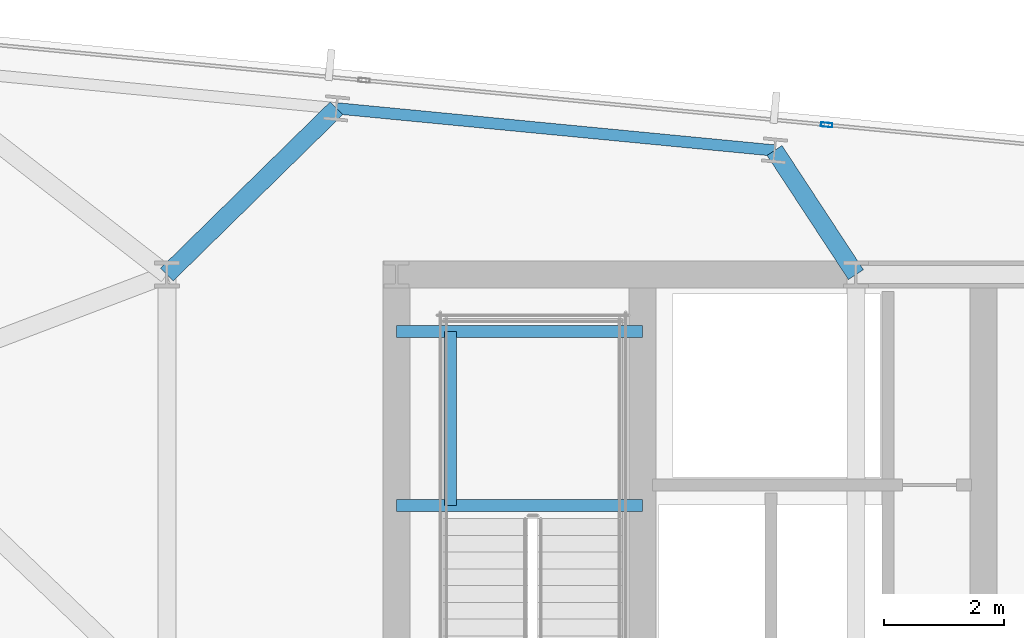
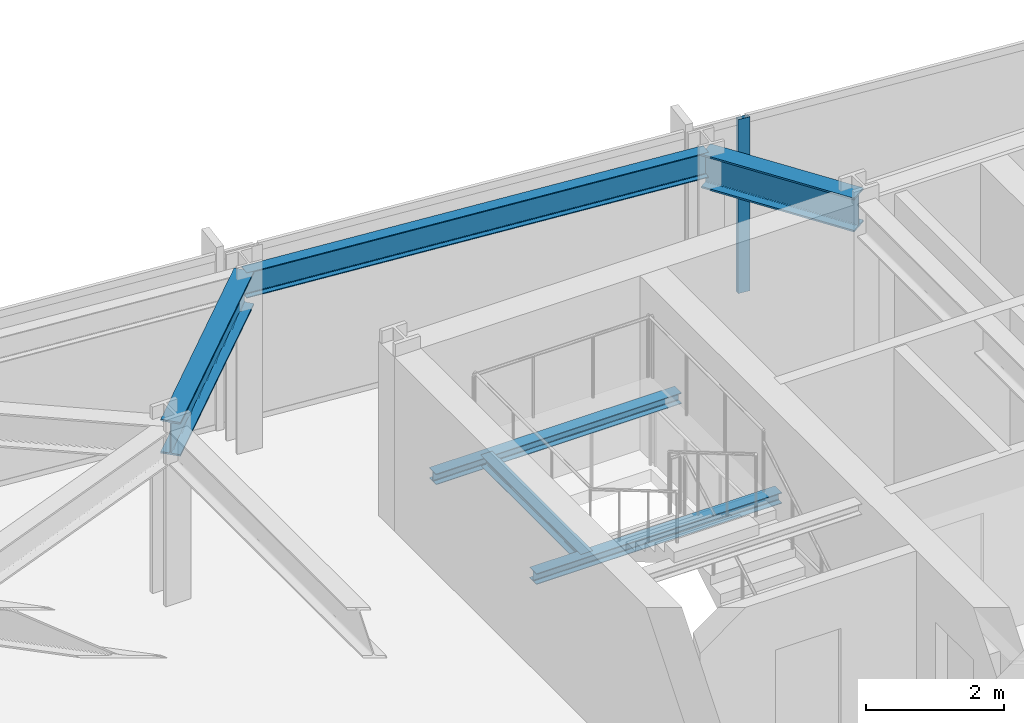
# One storey, part 24 of 38: 6 beams, 1 member, 1 element without a shape of its own.
"""IFC4 building model written with IfcOpenShell, lengths in metres."""

from ifc_helpers import new_model, si_unit, direction, frame, origin, origin_2d, place, context, subcontext, project, spatial, hollow_rectangle, i_section, extrude, material, material_profile, profile_set, type_object, element, aggregate, save


model = new_model("IFC4")

# Units and contexts
model_context = context("Model", 3, precision=1e-05, world=origin(), true_north=direction((0.0, 1.0)))
body_context = subcontext(model_context, "Body", "Model", "MODEL_VIEW")
ifc_project = project(units=[si_unit("LENGTHUNIT", "METRE"), si_unit("AREAUNIT", "SQUARE_METRE"), si_unit("VOLUMEUNIT", "CUBIC_METRE"), si_unit("PLANEANGLEUNIT", "RADIAN"), si_unit("MASSUNIT", "GRAM", prefix="KILO")], contexts=[model_context])

# Site, building, storey
site_placement = place(None, origin())
site = spatial("IfcSite", under=ifc_project, at=site_placement, CompositionType="ELEMENT")
building_placement = place(site_placement, origin())
building = spatial("IfcBuilding", under=site, at=building_placement, Name="Yelkora Congress Tower", CompositionType="ELEMENT")
storey_placement = place(building_placement, frame((0.0, 0.0, 155.60009765625)))
storey = spatial("IfcBuildingStorey", under=building, at=storey_placement, Name="L42", CompositionType="ELEMENT", Elevation=155.60009765625)

# Beams
ifc_material_1 = material(Name="Steel S355J2", Category="steel")
ifc_material_profile_1 = material_profile(ifc_material_1, i_section(OverallWidth=0.300048828125, OverallDepth=0.60009765625, WebThickness=0.015380859375, FlangeThickness=0.030029296875, FilletRadius=0.027099609375, at=origin_2d()), Name="HEB 600")
ifc_profile_set_1 = profile_set([ifc_material_profile_1], Name="Steel S355J2")
beam_type_1 = type_object("IfcBeamType", Name="BM-GIRD-HEB600", PredefinedType="BEAM", material=ifc_profile_set_1)
beam_1_placement = place(storey_placement, frame((22.035400390625, 48.980224609375, 2.77978515625), z_axis=(-0.714019806588, -0.700125500036, 0.0), x_axis=(0.700125500036, -0.714019806588, 0.0)))
element("IfcBeam", 1, at=beam_1_placement, inside=storey, type_object=beam_type_1, Name="L42 Primary Frame Girder N03", PredefinedType="BEAM", context=body_context, shape_type="SweptSolid", body=[
    extrude(i_section(OverallWidth=0.300048828125, OverallDepth=0.60009765625, WebThickness=0.015380859375, FlangeThickness=0.030029296875, FilletRadius=0.027099609375, at=origin_2d()), origin(), (0.0, 0.0, 1.0), 3.97119140625),
])
beam_2_placement = place(storey_placement, frame((29.358642578125, 48.275146484375, 2.77978515625), z_axis=(0.548510321976, -0.8361437835, 0.0), x_axis=(0.8361437835, 0.548510321976, 0.0)))
element("IfcBeam", 2, at=beam_2_placement, inside=storey, type_object=beam_type_1, Name="L42 Primary Frame Girder N04", PredefinedType="BEAM", context=body_context, shape_type="SweptSolid", body=[
    extrude(i_section(OverallWidth=0.300048828125, OverallDepth=0.60009765625, WebThickness=0.015380859375, FlangeThickness=0.030029296875, FilletRadius=0.027099609375, at=origin_2d()), origin(), (0.0, 0.0, 1.0), 2.48193359375),
])
ifc_material_profile_2 = material_profile(ifc_material_1, i_section(OverallWidth=0.199951171875, OverallDepth=0.18994140625, WebThickness=0.006591796875, FlangeThickness=0.010009765625, FilletRadius=0.01806640625, at=origin_2d()), Name="HEA 200")
ifc_profile_set_2 = profile_set([ifc_material_profile_2], Name="Steel S355J2")
beam_type_2 = type_object("IfcBeamType", Name="BM-LAND-HEA200", PredefinedType="BEAM", material=ifc_profile_set_2)
for number, where, z_axis, x_axis, name in (
    (3, (23.0400390625, 42.340087890625, 1.33447265625), (1.0, 0.0, 0.0), (0.0, 1.0, 0.0), "ST-01 L42 Landing Header Beam 1S"),
    (4, (23.0400390625, 45.25, 1.33447265625), (1.0, 0.0, 0.0), (0.0, 1.0, 0.0), "ST-01 L42 Landing Header Beam 1N"),
):
    element("IfcBeam", number, at=place(storey_placement, frame(where, z_axis=z_axis, x_axis=x_axis)), inside=storey, type_object=beam_type_2, Name=name, PredefinedType="BEAM", context=body_context, shape_type="SweptSolid", body=[
        extrude(i_section(OverallWidth=0.199951171875, OverallDepth=0.18994140625, WebThickness=0.006591796875, FlangeThickness=0.010009765625, FilletRadius=0.01806640625, at=origin_2d()), origin(), (0.0, 0.0, 1.0), 4.10986328125),
    ])
beam_3_placement = place(storey_placement, frame((23.93994140625, 42.340087890625, 1.33447265625), z_axis=(0.0, 1.0, 0.0), x_axis=(-1.0, 0.0, 0.0)))
element("IfcBeam", 5, at=beam_3_placement, inside=storey, type_object=beam_type_2, Name="ST-01 L42 Landing Trimmer Beam 1M", PredefinedType="BEAM", context=body_context, shape_type="SweptSolid", body=[
    extrude(i_section(OverallWidth=0.199951171875, OverallDepth=0.18994140625, WebThickness=0.006591796875, FlangeThickness=0.010009765625, FilletRadius=0.01806640625, at=origin_2d()), origin(), (0.0, 0.0, 1.0), 2.909912109375),
])
ifc_material_profile_3 = material_profile(ifc_material_1, i_section(OverallWidth=0.18994140625, OverallDepth=0.449951171875, WebThickness=0.009521484375, FlangeThickness=0.0146484375, FilletRadius=0.02099609375, at=origin_2d()), Name="IPE 450")
ifc_profile_set_3 = profile_set([ifc_material_profile_3], Name="Steel S355J2")
beam_type_3 = type_object("IfcBeamType", Name="BM-SPAN-IPE450", PredefinedType="SPANDREL", material=ifc_profile_set_3)
beam_4_placement = place(storey_placement, frame((29.358642578125, 48.275146484375, 2.85498046875), z_axis=(-0.995397104697, 0.095836339457, 0.0), x_axis=(-0.095836339457, -0.995397104697, 0.0)))
element("IfcBeam", 6, at=beam_4_placement, inside=storey, type_object=beam_type_3, Name="L42 Perimeter Beam 13", PredefinedType="SPANDREL", context=body_context, shape_type="SweptSolid", body=[
    extrude(i_section(OverallWidth=0.18994140625, OverallDepth=0.449951171875, WebThickness=0.009521484375, FlangeThickness=0.0146484375, FilletRadius=0.02099609375, at=origin_2d()), origin(), (0.0, 0.0, 1.0), 7.357177734375),
])

# Curtain wall, member
ifc_material_2 = material(Name="Anodised aluminium and insulated glass", Category="aluminium")
curtain_wall_type = type_object("IfcCurtainWallType", Name="CW-SYS-B3", PredefinedType="NOTDEFINED", material=ifc_material_2)
curtain_wall_placement = place(storey_placement, origin())
curtain_wall = element("IfcCurtainWall", 7, at=curtain_wall_placement, inside=storey, type_object=curtain_wall_type, Name="L42 Unitised Curtain Wall 10 (1)", PredefinedType="NOTDEFINED")
ifc_material_3 = material(Name="Anodised aluminium 6063-T6", Category="aluminium")
ifc_material_profile_4 = material_profile(ifc_material_3, hollow_rectangle(XDim=0.070068359375, YDim=0.18994140625, WallThickness=0.00390625, at=origin_2d()), Name="ALU 70x190x4")
ifc_profile_set_4 = profile_set([ifc_material_profile_4], Name="Anodised aluminium 6063-T6")
member_type = type_object("IfcMemberType", Name="MEM-ML-B3", PredefinedType="MULLION", material=ifc_profile_set_4)
member_placement = place(storey_placement, frame((30.230224609375, 48.70361328125, 0.0), z_axis=(0.0, 0.0, 1.0), x_axis=(0.095844761168, 0.995396293823, 0.0)))
member = element("IfcMember", 8, at=member_placement, type_object=member_type, Name="CW-B3 mullion 4", PredefinedType="MULLION", context=body_context, shape_type="SweptSolid", body=[
    extrude(hollow_rectangle(XDim=0.070068359375, YDim=0.18994140625, WallThickness=0.00390625, at=origin_2d()), origin(), (0.0, 0.0, 1.0), 3.079833984375),
])
aggregate(curtain_wall, [member])

save(model, "model.ifc")
